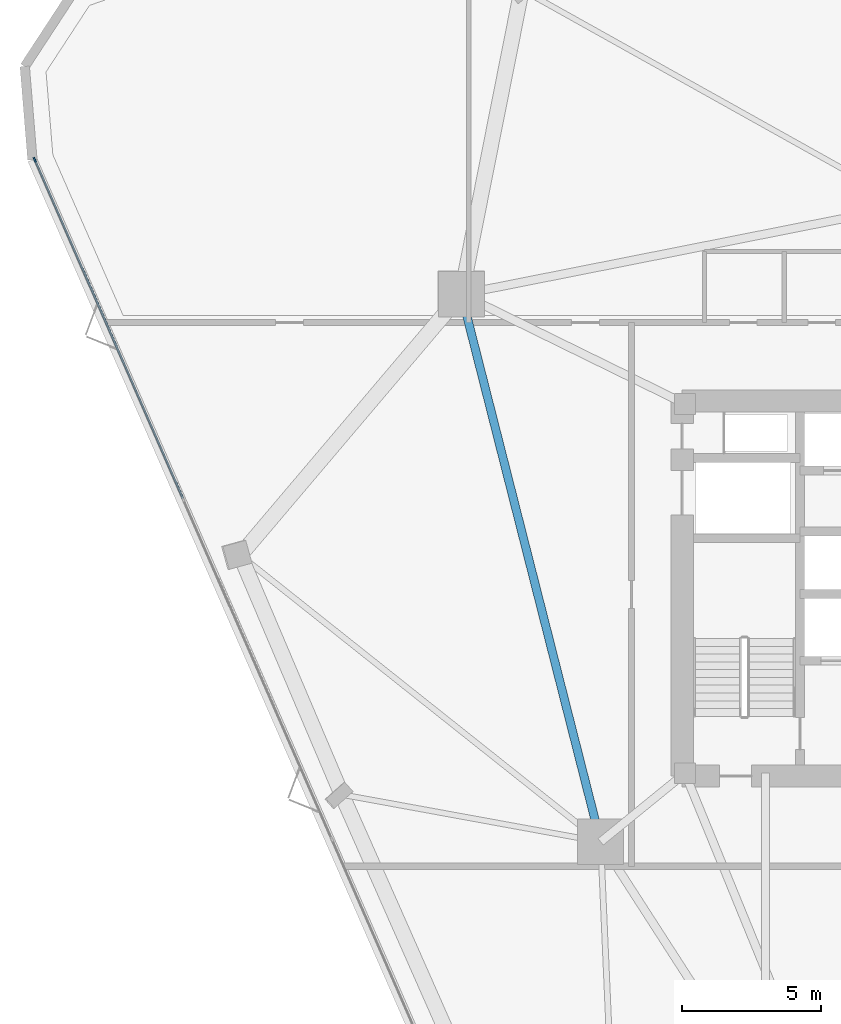
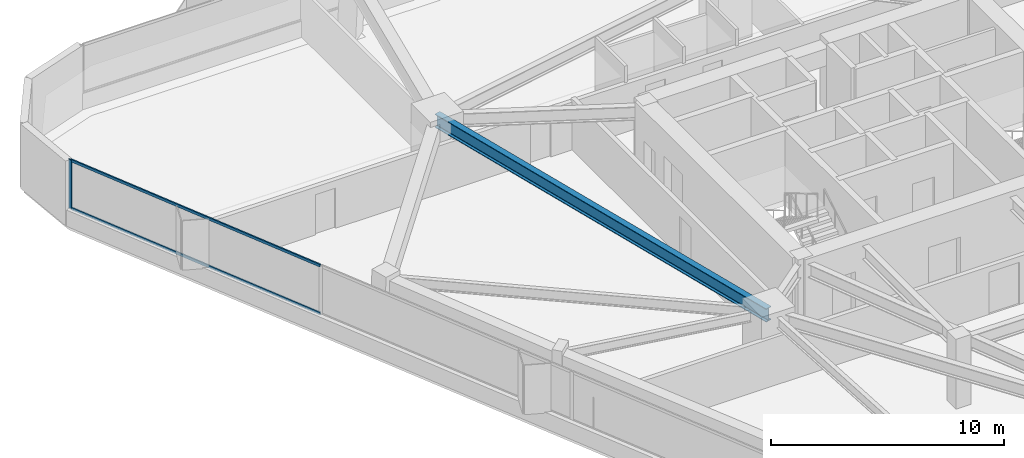
# One storey, part 7 of 20: 3 members, 1 beam, 1 element without a shape of its own.
"""IFC4 building model written with IfcOpenShell, lengths in metres."""

from ifc_helpers import new_model, si_unit, direction, frame, origin, origin_2d, place, context, subcontext, project, spatial, rectangle, i_section, extrude, material, layer, layer_set, material_profile, profile_set, type_object, element, aggregate, save


model = new_model("IFC4")

# Units and contexts
model_context = context("Model", 3, precision=1e-05, world=origin(), true_north=direction((0.0, 1.0)))
body_context = subcontext(model_context, "Body", "Model", "MODEL_VIEW")
ifc_project = project(units=[si_unit("LENGTHUNIT", "METRE"), si_unit("AREAUNIT", "SQUARE_METRE"), si_unit("VOLUMEUNIT", "CUBIC_METRE"), si_unit("PLANEANGLEUNIT", "RADIAN"), si_unit("MASSUNIT", "GRAM", prefix="KILO")], contexts=[model_context])

# Site, building, storey
site_placement = place(None, origin())
site = spatial("IfcSite", under=ifc_project, at=site_placement, CompositionType="ELEMENT")
building_placement = place(site_placement, origin())
building = spatial("IfcBuilding", under=site, at=building_placement, Name="Talyreon Biosciences Tower", CompositionType="ELEMENT")
storey_placement = place(building_placement, frame((0.0, 0.0, 78.64990234375)))
storey = spatial("IfcBuildingStorey", under=building, at=storey_placement, Name="L20", CompositionType="ELEMENT", Elevation=78.64990234375)

# Curtain wall, members
ifc_material_1 = material(Name="Thermally broken aluminium and low-E glazing", Category="aluminium")
ifc_layer = layer(ifc_material_1, 0.18994140625)
ifc_layer_set = layer_set([ifc_layer], Name="Thermally broken aluminium and low-E glazing")
curtain_wall_type = type_object("IfcCurtainWallType", Name="CurtainWall_Zone2Genomics", PredefinedType="NOTDEFINED", material=ifc_layer_set)
curtain_wall_placement = place(storey_placement, origin())
curtain_wall = element("IfcCurtainWall", 1, at=curtain_wall_placement, inside=storey, type_object=curtain_wall_type, Name="L20 Unitised Curtain Wall FCW-L20-00", PredefinedType="NOTDEFINED")
ifc_material_2 = material(Name="Anodised thermally broken aluminium", Category="aluminium")
ifc_material_profile_1 = material_profile(ifc_material_2, rectangle(XDim=0.06494140625, YDim=0.179931640625, at=origin_2d()), Name="ALUM MULLION 65x180")
ifc_profile_set_1 = profile_set([ifc_material_profile_1], Name="Anodised thermally broken aluminium")
member_type_1 = type_object("IfcMemberType", Name="CWMullion_65x180", PredefinedType="MULLION", material=ifc_profile_set_1)
member_1_placement = place(storey_placement, frame((34.537353515625, 83.43896484375, 0.81005859375), z_axis=(0.0, 0.0, 1.0), x_axis=(-0.916213942072, -0.400689421314, 0.0)))
member_1 = element("IfcMember", 2, at=member_1_placement, type_object=member_type_1, Name="CW3 mullion 6", PredefinedType="MULLION", context=body_context, shape_type="SweptSolid", body=[
    extrude(rectangle(XDim=0.06494140625, YDim=0.179931640625, at=origin_2d()), origin(), (0.0, 0.0, 1.0), 2.56494140625),
])
ifc_material_profile_2 = material_profile(ifc_material_2, rectangle(XDim=0.06494140625, YDim=0.139892578125, at=origin_2d()), Name="ALUM TRANSOM 65x140")
ifc_profile_set_2 = profile_set([ifc_material_profile_2], Name="Anodised thermally broken aluminium")
member_type_2 = type_object("IfcMemberType", Name="CWTransom_65x140", PredefinedType="USERDEFINED", material=ifc_profile_set_2)
member_2_placement = place(storey_placement, frame((39.868408203125, 71.24951171875, 0.842529296875), z_axis=(-0.40069337817, 0.916212211603, 0.0), x_axis=(-0.916212211603, -0.40069337817, 0.0)))
member_2 = element("IfcMember", 3, at=member_2_placement, type_object=member_type_2, Name="CW3 transom 5.1", ObjectType="TRANSOM", PredefinedType="USERDEFINED", context=body_context, shape_type="SweptSolid", body=[
    extrude(rectangle(XDim=0.06494140625, YDim=0.139892578125, at=origin_2d()), origin(), (0.0, 0.0, 1.0), 13.271728515625),
])
member_3_placement = place(storey_placement, frame((39.868408203125, 71.24951171875, 3.342529296875), z_axis=(-0.40069337817, 0.916212211603, 0.0), x_axis=(-0.916212211603, -0.40069337817, 0.0)))
member_3 = element("IfcMember", 4, at=member_3_placement, type_object=member_type_2, Name="CW3 transom 5.2", ObjectType="TRANSOM", PredefinedType="USERDEFINED", context=body_context, shape_type="SweptSolid", body=[
    extrude(rectangle(XDim=0.06494140625, YDim=0.139892578125, at=origin_2d()), origin(), (0.0, 0.0, 1.0), 13.271728515625),
])
aggregate(curtain_wall, [member_1, member_2, member_3])

# Beam
ifc_material_3 = material(Name="Steel SM355", Category="steel")
ifc_material_profile_3 = material_profile(ifc_material_3, i_section(OverallWidth=0.300048828125, OverallDepth=0.699951171875, WebThickness=0.01708984375, FlangeThickness=0.031982421875, FilletRadius=0.027099609375, at=origin_2d()), Name="HE700B")
ifc_profile_set_3 = profile_set([ifc_material_profile_3], Name="Steel SM355")
beam_type = type_object("IfcBeamType", Name="SteelGirder_HE700B", PredefinedType="BEAM", material=ifc_profile_set_3)
beam_placement = place(storey_placement, frame((49.897705078125, 78.5986328125, 3.025146484375), z_axis=(0.246537082299, -0.969133358755, 0.0), x_axis=(0.969133358755, 0.246537082299, 0.0)))
element("IfcBeam", 5, at=beam_placement, inside=storey, type_object=beam_type, Name="L20 Mega-Ring Girder 5", PredefinedType="BEAM", context=body_context, shape_type="SweptSolid", body=[
    extrude(i_section(OverallWidth=0.300048828125, OverallDepth=0.699951171875, WebThickness=0.01708984375, FlangeThickness=0.031982421875, FilletRadius=0.027099609375, at=origin_2d()), origin(), (0.0, 0.0, 1.0), 20.34619140625),
])

save(model, "model.ifc")
